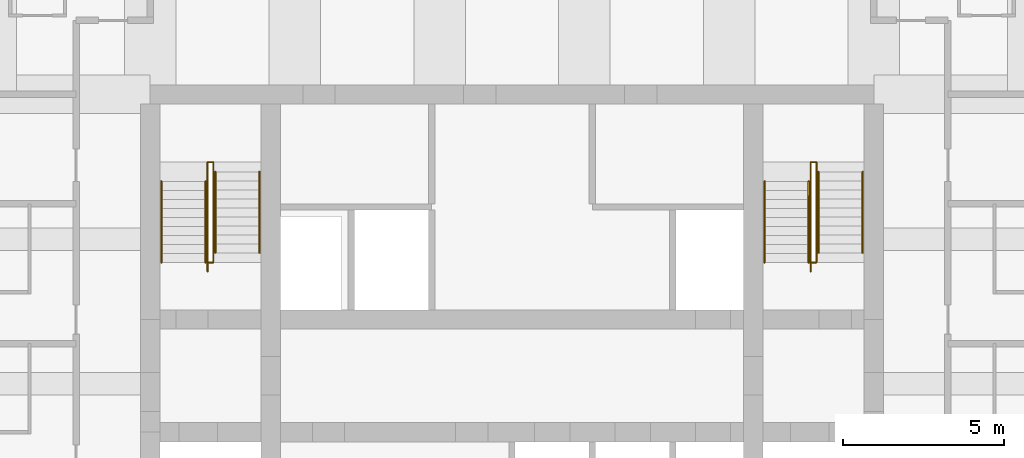
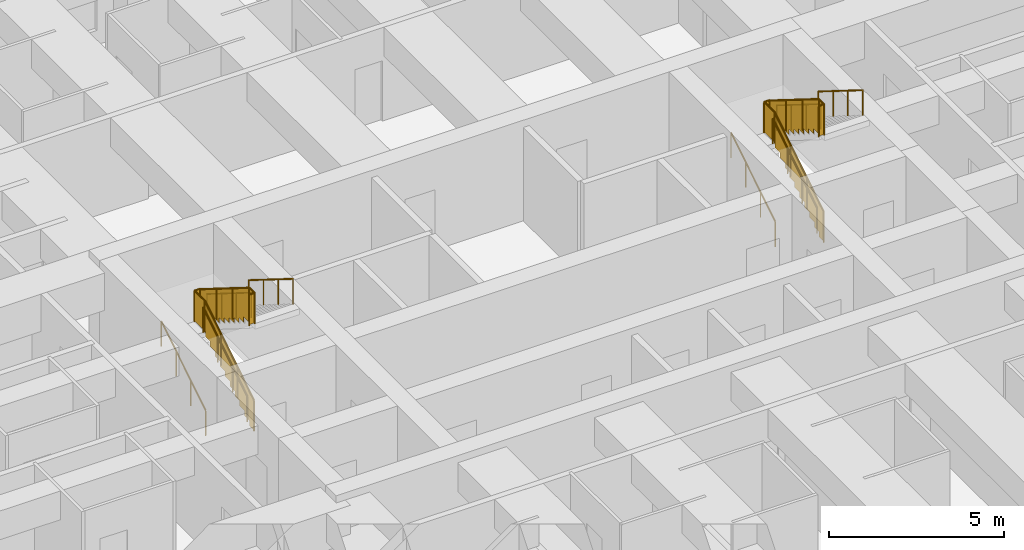
# One storey, part 8 of 8: 12 railings.
"""IFC4 building model written with IfcOpenShell, lengths in metres."""

from ifc_helpers import new_model, si_unit, direction, frame, origin, origin_2d, place, context, subcontext, project, spatial, polyline, circle, outline, extrude, material, type_object, element, save


model = new_model("IFC4")

# Units and contexts
model_context = context("Model", 3, precision=1e-05, world=origin(), true_north=direction((0.0, 1.0)))
body_context = subcontext(model_context, "Body", "Model", "MODEL_VIEW")
ifc_project = project(units=[si_unit("LENGTHUNIT", "METRE"), si_unit("AREAUNIT", "SQUARE_METRE"), si_unit("VOLUMEUNIT", "CUBIC_METRE"), si_unit("PLANEANGLEUNIT", "RADIAN"), si_unit("MASSUNIT", "GRAM", prefix="KILO")], contexts=[model_context])

# Site, building, storey
site_placement = place(None, origin())
site = spatial("IfcSite", under=ifc_project, at=site_placement, CompositionType="ELEMENT")
building_placement = place(site_placement, origin())
building = spatial("IfcBuilding", under=site, at=building_placement, Name="Kilele Tower Hotel", CompositionType="ELEMENT")
storey_placement = place(building_placement, frame((0.0, 0.0, 103.89990234375)))
storey = spatial("IfcBuildingStorey", under=building, at=storey_placement, Name="L26", CompositionType="ELEMENT", Elevation=103.89990234375)

# Railings
ifc_material_1 = material(Name="Steel handrail", Category="steel")
railing_type_1 = type_object("IfcRailingType", Name="Handrail 900", PredefinedType="HANDRAIL", material=ifc_material_1)
for number, where, name in (
    (1, (13.85009765625, 21.77490234375, 0.175048828125), "Handrail ST1 flight 1"),
    (2, (15.22509765625, 21.77490234375, 0.175048828125), "Handrail ST1 flight 1"),
):
    element("IfcRailing", number, at=place(storey_placement, frame(where)), inside=storey, type_object=railing_type_1, Name=name, PredefinedType="HANDRAIL", context=body_context, shape_type="SweptSolid", body=[
        extrude(circle(Radius=0.02490234375, at=origin_2d()), frame((0.0, 0.0, 0.875), z_axis=(0.0, 0.848007534815, 0.529984170421), x_axis=(-1.0, 0.0, 0.0)), (0.0, 0.0, 1.0), 2.9716796875),
        extrude(circle(Radius=0.02001953125, at=origin_2d()), origin(), (0.0, 0.0, 1.0), 0.849853515625),
        extrude(circle(Radius=0.02001953125, at=origin_2d()), frame((0.0, 0.840087890625, 0.52490234375)), (0.0, 0.0, 1.0), 0.849853515625),
        extrude(circle(Radius=0.02001953125, at=origin_2d()), frame((0.0, 1.679931640625, 1.050048828125)), (0.0, 0.0, 1.0), 0.849853515625),
        extrude(circle(Radius=0.02001953125, at=origin_2d()), frame((0.0, 2.52001953125, 1.574951171875)), (0.0, 0.0, 1.0), 0.849853515625),
    ])
for number, where, name in (
    (3, (15.52490234375, 24.594970703125, 1.925048828125), "Handrail ST1 flight 2"),
    (4, (16.89990234375, 24.594970703125, 1.925048828125), "Handrail ST1 flight 2"),
):
    element("IfcRailing", number, at=place(storey_placement, frame(where)), inside=storey, type_object=railing_type_1, Name=name, PredefinedType="HANDRAIL", context=body_context, shape_type="SweptSolid", body=[
        extrude(circle(Radius=0.02490234375, at=origin_2d()), frame((0.0, 0.0, 0.875), z_axis=(0.0, -0.848007534815, 0.529984170421), x_axis=(1.0, 0.0, 0.0)), (0.0, 0.0, 1.0), 2.9716796875),
        extrude(circle(Radius=0.02001953125, at=origin_2d()), origin(), (0.0, 0.0, 1.0), 0.849853515625),
        extrude(circle(Radius=0.02001953125, at=origin_2d()), frame((0.0, -0.840087890625, 0.52490234375)), (0.0, 0.0, 1.0), 0.849853515625),
        extrude(circle(Radius=0.02001953125, at=origin_2d()), frame((0.0, -1.679931640625, 1.050048828125)), (0.0, 0.0, 1.0), 0.849853515625),
        extrude(circle(Radius=0.02001953125, at=origin_2d()), frame((0.0, -2.52001953125, 1.574951171875)), (0.0, 0.0, 1.0), 0.849853515625),
    ])
for number, where, name in (
    (5, (32.60009765625, 21.77490234375, 0.175048828125), "Handrail ST2 flight 1"),
    (6, (33.97509765625, 21.77490234375, 0.175048828125), "Handrail ST2 flight 1"),
):
    element("IfcRailing", number, at=place(storey_placement, frame(where)), inside=storey, type_object=railing_type_1, Name=name, PredefinedType="HANDRAIL", context=body_context, shape_type="SweptSolid", body=[
        extrude(circle(Radius=0.02490234375, at=origin_2d()), frame((0.0, 0.0, 0.875), z_axis=(0.0, 0.848007534815, 0.529984170421), x_axis=(-1.0, 0.0, 0.0)), (0.0, 0.0, 1.0), 2.9716796875),
        extrude(circle(Radius=0.02001953125, at=origin_2d()), origin(), (0.0, 0.0, 1.0), 0.849853515625),
        extrude(circle(Radius=0.02001953125, at=origin_2d()), frame((0.0, 0.840087890625, 0.52490234375)), (0.0, 0.0, 1.0), 0.849853515625),
        extrude(circle(Radius=0.02001953125, at=origin_2d()), frame((0.0, 1.679931640625, 1.050048828125)), (0.0, 0.0, 1.0), 0.849853515625),
        extrude(circle(Radius=0.02001953125, at=origin_2d()), frame((0.0, 2.52001953125, 1.574951171875)), (0.0, 0.0, 1.0), 0.849853515625),
    ])
for number, where, name in (
    (7, (34.27490234375, 24.594970703125, 1.925048828125), "Handrail ST2 flight 2"),
    (8, (35.64990234375, 24.594970703125, 1.925048828125), "Handrail ST2 flight 2"),
):
    element("IfcRailing", number, at=place(storey_placement, frame(where)), inside=storey, type_object=railing_type_1, Name=name, PredefinedType="HANDRAIL", context=body_context, shape_type="SweptSolid", body=[
        extrude(circle(Radius=0.02490234375, at=origin_2d()), frame((0.0, 0.0, 0.875), z_axis=(0.0, -0.848007534815, 0.529984170421), x_axis=(1.0, 0.0, 0.0)), (0.0, 0.0, 1.0), 2.9716796875),
        extrude(circle(Radius=0.02001953125, at=origin_2d()), origin(), (0.0, 0.0, 1.0), 0.849853515625),
        extrude(circle(Radius=0.02001953125, at=origin_2d()), frame((0.0, -0.840087890625, 0.52490234375)), (0.0, 0.0, 1.0), 0.849853515625),
        extrude(circle(Radius=0.02001953125, at=origin_2d()), frame((0.0, -1.679931640625, 1.050048828125)), (0.0, 0.0, 1.0), 0.849853515625),
        extrude(circle(Radius=0.02001953125, at=origin_2d()), frame((0.0, -2.52001953125, 1.574951171875)), (0.0, 0.0, 1.0), 0.849853515625),
    ])
ifc_material_2 = material(Name="Steel guard", Category="steel")
railing_type_2 = type_object("IfcRailingType", Name="Stair guard 1100", PredefinedType="GUARDRAIL", material=ifc_material_2)
railing_1_placement = place(storey_placement, frame((15.284912109375, 21.4951171875, 0.0)))
element("IfcRailing", 9, at=railing_1_placement, inside=storey, type_object=railing_type_2, Name="Stair well guard ST1 flight 1", PredefinedType="GUARDRAIL", context=body_context, shape_type="SweptSolid", body=[
    extrude(circle(Radius=0.02490234375, at=origin_2d()), frame((0.0, 0.0, 1.0751953125), z_axis=(0.0, 0.847981687118, 0.530025526095), x_axis=(-1.0, 0.0, 0.0)), (0.0, 0.0, 1.0), 3.3017578125),
    extrude(circle(Radius=0.02490234375, at=origin_2d()), frame((0.0, 2.7998046875, 2.8251953125), z_axis=(0.0, 1.0, 0.0), x_axis=(-1.0, 0.0, 0.0)), (0.0, 0.0, 1.0), 0.60009765625),
    extrude(circle(Radius=0.02490234375, at=origin_2d()), frame((0.0, 3.39990234375, 2.8251953125), z_axis=(1.0, 0.0, 0.0), x_axis=(0.0, 1.0, 0.0)), (0.0, 0.0, 1.0), 0.18017578125),
    extrude(circle(Radius=0.02490234375, at=origin_2d()), origin(), (0.0, 0.0, 1.0), 1.050048828125),
    extrude(circle(Radius=0.02490234375, at=origin_2d()), frame((0.0, 0.933349609375, 0.583251953125)), (0.0, 0.0, 1.0), 1.050048828125),
    extrude(circle(Radius=0.02490234375, at=origin_2d()), frame((0.0, 1.866455078125, 1.166748046875)), (0.0, 0.0, 1.0), 1.050048828125),
    extrude(circle(Radius=0.02490234375, at=origin_2d()), frame((0.0, 2.7998046875, 1.75)), (0.0, 0.0, 1.0), 1.050048828125),
    extrude(circle(Radius=0.02490234375, at=origin_2d()), frame((0.0, 3.39990234375, 1.75)), (0.0, 0.0, 1.0), 1.050048828125),
    extrude(circle(Radius=0.02490234375, at=origin_2d()), frame((0.18017578125, 3.39990234375, 1.75)), (0.0, 0.0, 1.0), 1.050048828125),
    extrude(outline(polyline([(0.012451171875, 0.030029296875), (0.25, 0.030029296875), (0.25, 0.205078125), (0.530029296875, 0.205078125), (0.530029296875, 0.380126953125), (0.809814453125, 0.380126953125), (0.809814453125, 0.554931640625), (1.08984375, 0.554931640625), (1.08984375, 0.72998046875), (1.369873046875, 0.72998046875), (1.369873046875, 0.905029296875), (1.64990234375, 0.905029296875), (1.64990234375, 1.080078125), (1.929931640625, 1.080078125), (1.929931640625, 1.255126953125), (2.209716796875, 1.255126953125), (2.209716796875, 1.429931640625), (2.48974609375, 1.429931640625), (2.48974609375, 1.60498046875), (2.769775390625, 1.60498046875), (2.769775390625, 1.780029296875), (2.787353515625, 1.780029296875), (2.787353515625, 2.787841796875), (0.012451171875, 1.053466796875), (0.012451171875, 0.030029296875)])), frame((-0.005859375, 0.0, 0.0), z_axis=(1.0, 0.0, 0.0), x_axis=(0.0, 1.0, 0.0)), (0.0, 0.0, 1.0), 0.011962890625),
    extrude(outline(polyline([(0.012451171875, 0.030029296875), (0.587646484375, 0.030029296875), (0.587646484375, 1.050048828125), (0.012451171875, 1.050048828125), (0.012451171875, 0.030029296875)])), frame((-0.005859375, 2.7998046875, 1.75), z_axis=(1.0, 0.0, 0.0), x_axis=(0.0, 1.0, 0.0)), (0.0, 0.0, 1.0), 0.011962890625),
    extrude(outline(polyline([(0.012451171875, 0.030029296875), (0.18017578125, 0.030029296875), (0.18017578125, 1.050048828125), (0.012451171875, 1.050048828125), (0.012451171875, 0.030029296875)])), frame((0.0, 3.40576171875, 1.75), z_axis=(0.0, -1.0, 0.0), x_axis=(1.0, 0.0, 0.0)), (0.0, 0.0, 1.0), 0.011962890625),
])
railing_2_placement = place(storey_placement, frame((15.465087890625, 24.89501953125, 1.75)))
element("IfcRailing", 10, at=railing_2_placement, inside=storey, type_object=railing_type_2, Name="Stair well guard ST1 flight 2", PredefinedType="GUARDRAIL", context=body_context, shape_type="SweptSolid", body=[
    extrude(circle(Radius=0.02490234375, at=origin_2d()), frame((0.0, 0.0, 1.0751953125), z_axis=(0.0, -1.0, 0.0), x_axis=(1.0, 0.0, 0.0)), (0.0, 0.0, 1.0), 0.02001953125),
    extrude(circle(Radius=0.02490234375, at=origin_2d()), frame((0.0, -0.02001953125, 1.0751953125), z_axis=(0.0, -0.848002457836, 0.529992293815), x_axis=(1.0, 0.0, 0.0)), (0.0, 0.0, 1.0), 3.302001953125),
    extrude(circle(Radius=0.02490234375, at=origin_2d()), frame((0.0, -2.820068359375, 2.8251953125), z_axis=(0.0, -1.0, 0.0), x_axis=(1.0, 0.0, 0.0)), (0.0, 0.0, 1.0), 0.300048828125),
    extrude(circle(Radius=0.02490234375, at=origin_2d()), frame((0.0, -3.1201171875, 2.8251953125), z_axis=(-1.0, 0.0, 0.0), x_axis=(0.0, -1.0, 0.0)), (0.0, 0.0, 1.0), 0.18017578125),
    extrude(circle(Radius=0.02490234375, at=origin_2d()), origin(), (0.0, 0.0, 1.0), 1.050048828125),
    extrude(circle(Radius=0.02490234375, at=origin_2d()), frame((0.0, -0.02001953125, 0.0)), (0.0, 0.0, 1.0), 1.050048828125),
    extrude(circle(Radius=0.02490234375, at=origin_2d()), frame((0.0, -0.953369140625, 0.583251953125)), (0.0, 0.0, 1.0), 1.050048828125),
    extrude(circle(Radius=0.02490234375, at=origin_2d()), frame((0.0, -1.88671875, 1.166748046875)), (0.0, 0.0, 1.0), 1.050048828125),
    extrude(circle(Radius=0.02490234375, at=origin_2d()), frame((0.0, -2.820068359375, 1.75)), (0.0, 0.0, 1.0), 1.050048828125),
    extrude(circle(Radius=0.02490234375, at=origin_2d()), frame((0.0, -3.1201171875, 1.75)), (0.0, 0.0, 1.0), 1.050048828125),
    extrude(circle(Radius=0.02490234375, at=origin_2d()), frame((-0.18017578125, -3.1201171875, 1.75)), (0.0, 0.0, 1.0), 1.050048828125),
    extrude(outline(polyline([(0.012451171875, 0.030029296875), (0.25, 0.030029296875), (0.25, 0.205078125), (0.530029296875, 0.205078125), (0.530029296875, 0.380126953125), (0.81005859375, 0.380126953125), (0.81005859375, 0.554931640625), (1.090087890625, 0.554931640625), (1.090087890625, 0.72998046875), (1.3701171875, 0.72998046875), (1.3701171875, 0.905029296875), (1.64990234375, 0.905029296875), (1.64990234375, 1.080078125), (1.929931640625, 1.080078125), (1.929931640625, 1.255126953125), (2.2099609375, 1.255126953125), (2.2099609375, 1.429931640625), (2.489990234375, 1.429931640625), (2.489990234375, 1.60498046875), (2.77001953125, 1.60498046875), (2.77001953125, 1.780029296875), (2.78759765625, 1.780029296875), (2.78759765625, 2.787841796875), (0.012451171875, 1.053466796875), (0.012451171875, 0.030029296875)])), frame((0.005859375, -0.02001953125, 0.0), z_axis=(-1.0, 0.0, 0.0), x_axis=(0.0, -1.0, 0.0)), (0.0, 0.0, 1.0), 0.011962890625),
    extrude(outline(polyline([(0.012451171875, 0.030029296875), (0.28759765625, 0.030029296875), (0.28759765625, 1.050048828125), (0.012451171875, 1.050048828125), (0.012451171875, 0.030029296875)])), frame((0.005859375, -2.820068359375, 1.75), z_axis=(-1.0, 0.0, 0.0), x_axis=(0.0, -1.0, 0.0)), (0.0, 0.0, 1.0), 0.011962890625),
    extrude(outline(polyline([(0.012451171875, 0.030029296875), (0.18017578125, 0.030029296875), (0.18017578125, 1.050048828125), (0.012451171875, 1.050048828125), (0.012451171875, 0.030029296875)])), frame((0.0, -3.1259765625, 1.75), z_axis=(0.0, 1.0, 0.0), x_axis=(-1.0, 0.0, 0.0)), (0.0, 0.0, 1.0), 0.011962890625),
])
railing_3_placement = place(storey_placement, frame((34.034912109375, 21.4951171875, 0.0)))
element("IfcRailing", 11, at=railing_3_placement, inside=storey, type_object=railing_type_2, Name="Stair well guard ST2 flight 1", PredefinedType="GUARDRAIL", context=body_context, shape_type="SweptSolid", body=[
    extrude(circle(Radius=0.02490234375, at=origin_2d()), frame((0.0, 0.0, 1.0751953125), z_axis=(0.0, 0.847981687118, 0.530025526095), x_axis=(-1.0, 0.0, 0.0)), (0.0, 0.0, 1.0), 3.3017578125),
    extrude(circle(Radius=0.02490234375, at=origin_2d()), frame((0.0, 2.7998046875, 2.8251953125), z_axis=(0.0, 1.0, 0.0), x_axis=(-1.0, 0.0, 0.0)), (0.0, 0.0, 1.0), 0.60009765625),
    extrude(circle(Radius=0.02490234375, at=origin_2d()), frame((0.0, 3.39990234375, 2.8251953125), z_axis=(1.0, 0.0, 0.0), x_axis=(0.0, 1.0, 0.0)), (0.0, 0.0, 1.0), 0.18017578125),
    extrude(circle(Radius=0.02490234375, at=origin_2d()), origin(), (0.0, 0.0, 1.0), 1.050048828125),
    extrude(circle(Radius=0.02490234375, at=origin_2d()), frame((0.0, 0.933349609375, 0.583251953125)), (0.0, 0.0, 1.0), 1.050048828125),
    extrude(circle(Radius=0.02490234375, at=origin_2d()), frame((0.0, 1.866455078125, 1.166748046875)), (0.0, 0.0, 1.0), 1.050048828125),
    extrude(circle(Radius=0.02490234375, at=origin_2d()), frame((0.0, 2.7998046875, 1.75)), (0.0, 0.0, 1.0), 1.050048828125),
    extrude(circle(Radius=0.02490234375, at=origin_2d()), frame((0.0, 3.39990234375, 1.75)), (0.0, 0.0, 1.0), 1.050048828125),
    extrude(circle(Radius=0.02490234375, at=origin_2d()), frame((0.18017578125, 3.39990234375, 1.75)), (0.0, 0.0, 1.0), 1.050048828125),
    extrude(outline(polyline([(0.012451171875, 0.030029296875), (0.25, 0.030029296875), (0.25, 0.205078125), (0.530029296875, 0.205078125), (0.530029296875, 0.380126953125), (0.809814453125, 0.380126953125), (0.809814453125, 0.554931640625), (1.08984375, 0.554931640625), (1.08984375, 0.72998046875), (1.369873046875, 0.72998046875), (1.369873046875, 0.905029296875), (1.64990234375, 0.905029296875), (1.64990234375, 1.080078125), (1.929931640625, 1.080078125), (1.929931640625, 1.255126953125), (2.209716796875, 1.255126953125), (2.209716796875, 1.429931640625), (2.48974609375, 1.429931640625), (2.48974609375, 1.60498046875), (2.769775390625, 1.60498046875), (2.769775390625, 1.780029296875), (2.787353515625, 1.780029296875), (2.787353515625, 2.787841796875), (0.012451171875, 1.053466796875), (0.012451171875, 0.030029296875)])), frame((-0.005859375, 0.0, 0.0), z_axis=(1.0, 0.0, 0.0), x_axis=(0.0, 1.0, 0.0)), (0.0, 0.0, 1.0), 0.011962890625),
    extrude(outline(polyline([(0.012451171875, 0.030029296875), (0.587646484375, 0.030029296875), (0.587646484375, 1.050048828125), (0.012451171875, 1.050048828125), (0.012451171875, 0.030029296875)])), frame((-0.005859375, 2.7998046875, 1.75), z_axis=(1.0, 0.0, 0.0), x_axis=(0.0, 1.0, 0.0)), (0.0, 0.0, 1.0), 0.011962890625),
    extrude(outline(polyline([(0.012451171875, 0.030029296875), (0.18017578125, 0.030029296875), (0.18017578125, 1.050048828125), (0.012451171875, 1.050048828125), (0.012451171875, 0.030029296875)])), frame((0.0, 3.40576171875, 1.75), z_axis=(0.0, -1.0, 0.0), x_axis=(1.0, 0.0, 0.0)), (0.0, 0.0, 1.0), 0.011962890625),
])
railing_4_placement = place(storey_placement, frame((34.215087890625, 24.89501953125, 1.75)))
element("IfcRailing", 12, at=railing_4_placement, inside=storey, type_object=railing_type_2, Name="Stair well guard ST2 flight 2", PredefinedType="GUARDRAIL", context=body_context, shape_type="SweptSolid", body=[
    extrude(circle(Radius=0.02490234375, at=origin_2d()), frame((0.0, 0.0, 1.0751953125), z_axis=(0.0, -1.0, 0.0), x_axis=(1.0, 0.0, 0.0)), (0.0, 0.0, 1.0), 0.02001953125),
    extrude(circle(Radius=0.02490234375, at=origin_2d()), frame((0.0, -0.02001953125, 1.0751953125), z_axis=(0.0, -0.848002457836, 0.529992293815), x_axis=(1.0, 0.0, 0.0)), (0.0, 0.0, 1.0), 3.302001953125),
    extrude(circle(Radius=0.02490234375, at=origin_2d()), frame((0.0, -2.820068359375, 2.8251953125), z_axis=(0.0, -1.0, 0.0), x_axis=(1.0, 0.0, 0.0)), (0.0, 0.0, 1.0), 0.300048828125),
    extrude(circle(Radius=0.02490234375, at=origin_2d()), frame((0.0, -3.1201171875, 2.8251953125), z_axis=(-1.0, 0.0, 0.0), x_axis=(0.0, -1.0, 0.0)), (0.0, 0.0, 1.0), 0.18017578125),
    extrude(circle(Radius=0.02490234375, at=origin_2d()), origin(), (0.0, 0.0, 1.0), 1.050048828125),
    extrude(circle(Radius=0.02490234375, at=origin_2d()), frame((0.0, -0.02001953125, 0.0)), (0.0, 0.0, 1.0), 1.050048828125),
    extrude(circle(Radius=0.02490234375, at=origin_2d()), frame((0.0, -0.953369140625, 0.583251953125)), (0.0, 0.0, 1.0), 1.050048828125),
    extrude(circle(Radius=0.02490234375, at=origin_2d()), frame((0.0, -1.88671875, 1.166748046875)), (0.0, 0.0, 1.0), 1.050048828125),
    extrude(circle(Radius=0.02490234375, at=origin_2d()), frame((0.0, -2.820068359375, 1.75)), (0.0, 0.0, 1.0), 1.050048828125),
    extrude(circle(Radius=0.02490234375, at=origin_2d()), frame((0.0, -3.1201171875, 1.75)), (0.0, 0.0, 1.0), 1.050048828125),
    extrude(circle(Radius=0.02490234375, at=origin_2d()), frame((-0.18017578125, -3.1201171875, 1.75)), (0.0, 0.0, 1.0), 1.050048828125),
    extrude(outline(polyline([(0.012451171875, 0.030029296875), (0.25, 0.030029296875), (0.25, 0.205078125), (0.530029296875, 0.205078125), (0.530029296875, 0.380126953125), (0.81005859375, 0.380126953125), (0.81005859375, 0.554931640625), (1.090087890625, 0.554931640625), (1.090087890625, 0.72998046875), (1.3701171875, 0.72998046875), (1.3701171875, 0.905029296875), (1.64990234375, 0.905029296875), (1.64990234375, 1.080078125), (1.929931640625, 1.080078125), (1.929931640625, 1.255126953125), (2.2099609375, 1.255126953125), (2.2099609375, 1.429931640625), (2.489990234375, 1.429931640625), (2.489990234375, 1.60498046875), (2.77001953125, 1.60498046875), (2.77001953125, 1.780029296875), (2.78759765625, 1.780029296875), (2.78759765625, 2.787841796875), (0.012451171875, 1.053466796875), (0.012451171875, 0.030029296875)])), frame((0.005859375, -0.02001953125, 0.0), z_axis=(-1.0, 0.0, 0.0), x_axis=(0.0, -1.0, 0.0)), (0.0, 0.0, 1.0), 0.011962890625),
    extrude(outline(polyline([(0.012451171875, 0.030029296875), (0.28759765625, 0.030029296875), (0.28759765625, 1.050048828125), (0.012451171875, 1.050048828125), (0.012451171875, 0.030029296875)])), frame((0.005859375, -2.820068359375, 1.75), z_axis=(-1.0, 0.0, 0.0), x_axis=(0.0, -1.0, 0.0)), (0.0, 0.0, 1.0), 0.011962890625),
    extrude(outline(polyline([(0.012451171875, 0.030029296875), (0.18017578125, 0.030029296875), (0.18017578125, 1.050048828125), (0.012451171875, 1.050048828125), (0.012451171875, 0.030029296875)])), frame((0.0, -3.1259765625, 1.75), z_axis=(0.0, 1.0, 0.0), x_axis=(-1.0, 0.0, 0.0)), (0.0, 0.0, 1.0), 0.011962890625),
])

save(model, "model.ifc")
